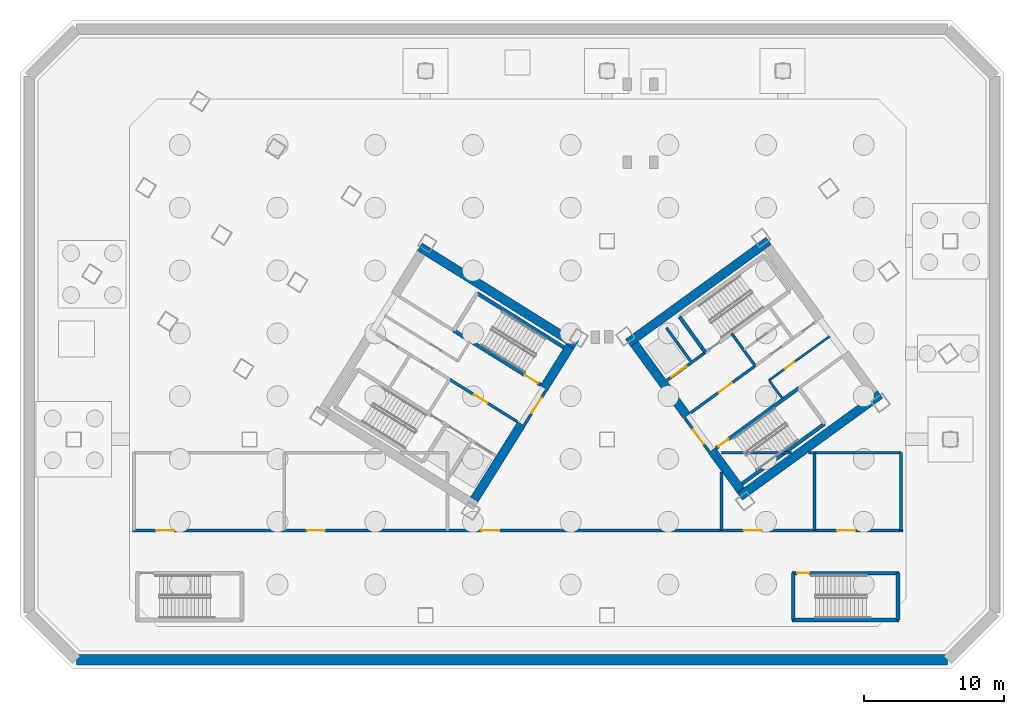
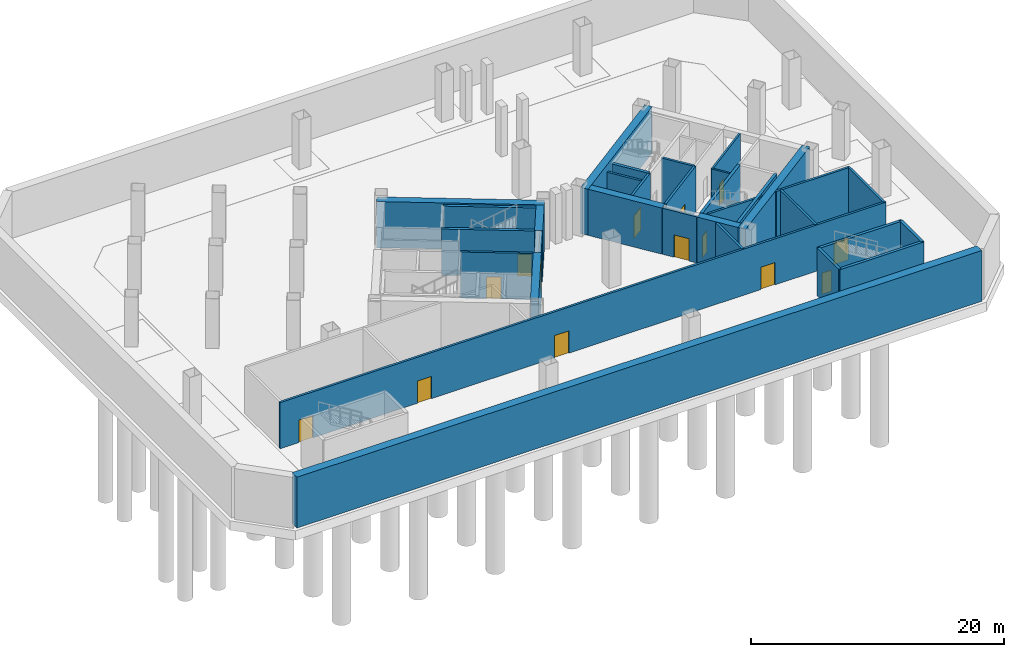
# One storey, part 5 of 11: 33 walls, 14 doors, 14 openings.
"""IFC4 building model written with IfcOpenShell, lengths in metres."""

from ifc_helpers import new_model, si_unit, direction, frame, frame_2d, origin, place, context, subcontext, project, spatial, rectangle, extrude, source, transform, mapped, material, layer, layer_set, type_object, element, fill, save


model = new_model("IFC4")

# Units and contexts
model_context = context("Model", 3, precision=1e-05, world=origin(), true_north=direction((0.0, 1.0)))
body_context = subcontext(model_context, "Body", "Model", "MODEL_VIEW")
ifc_project = project(units=[si_unit("LENGTHUNIT", "METRE"), si_unit("AREAUNIT", "SQUARE_METRE"), si_unit("VOLUMEUNIT", "CUBIC_METRE"), si_unit("PLANEANGLEUNIT", "RADIAN"), si_unit("MASSUNIT", "GRAM", prefix="KILO")], contexts=[model_context])

# Site, building, storey
site_placement = place(None, origin())
site = spatial("IfcSite", under=ifc_project, at=site_placement, CompositionType="ELEMENT")
building_placement = place(site_placement, origin())
building = spatial("IfcBuilding", under=site, at=building_placement, Name="Tlacorven Tower", CompositionType="ELEMENT")
storey_placement = place(building_placement, frame((0.0, 0.0, -9.60009765625)))
storey = spatial("IfcBuildingStorey", under=building, at=storey_placement, Name="B2", CompositionType="ELEMENT", Elevation=-9.60009765625)

# Walls
ifc_material_1 = material(Name="Concrete C60/75", Category="concrete")
ifc_layer_1 = layer(ifc_material_1, 0.64990234375)
ifc_layer_set_1 = layer_set([ifc_layer_1], Name="Concrete C60/75")
wall_type_1 = type_object("IfcWallType", Name="WL-COR-650", PredefinedType="SHEAR", material=ifc_layer_set_1)
wall_1_placement = place(storey_placement, frame((40.615478515625, 23.9833984375, 0.0), z_axis=(0.0, 0.0, 1.0), x_axis=(-0.848045953968, 0.529922692436, 0.0)))
element("IfcWall", 1, at=wall_1_placement, inside=storey, type_object=wall_type_1, Name="B2 W core shear wall S1", PredefinedType="SHEAR", context=body_context, shape_type="SweptSolid", body=[
    extrude(rectangle(XDim=13.239990234375, YDim=0.64990234375, at=frame_2d((6.6201171875, 0.0))), origin(), (0.0, 0.0, 1.0), 4.4501953125),
])
wall_2_placement = place(storey_placement, frame((40.167724609375, 23.880126953125, 0.0), z_axis=(0.0, 0.0, 1.0), x_axis=(-0.529893103397, -0.8480644427, 0.0)))
element("IfcWall", 2, at=wall_2_placement, inside=storey, type_object=wall_type_1, Name="B2 W core end wall E1.1", PredefinedType="SHEAR", context=body_context, shape_type="SweptSolid", body=[
    extrude(rectangle(XDim=3.525146484375, YDim=0.64990234375, at=frame_2d((1.7626953125, 0.0))), origin(), (0.0, 0.0, 1.0), 4.4501953125),
])
wall_3_placement = place(storey_placement, frame((36.683349609375, 18.30419921875, 0.0), z_axis=(0.0, 0.0, 1.0), x_axis=(-0.529899109053, -0.848060690178, 0.0)))
element("IfcWall", 3, at=wall_3_placement, inside=storey, type_object=wall_type_1, Name="B2 W core end wall E1.2", PredefinedType="SHEAR", context=body_context, shape_type="SweptSolid", body=[
    extrude(rectangle(XDim=6.375244140625, YDim=0.64990234375, at=frame_2d((3.1875, 0.0))), origin(), (0.0, 0.0, 1.0), 4.4501953125),
])
wall_4_placement = place(storey_placement, frame((52.318359375, 13.1103515625, 0.0), z_axis=(0.0, 0.0, 1.0), x_axis=(0.809019445368, 0.587781878776, 0.0)))
element("IfcWall", 4, at=wall_4_placement, inside=storey, type_object=wall_type_1, Name="B2 E core shear wall S1", PredefinedType="SHEAR", context=body_context, shape_type="SweptSolid", body=[
    extrude(rectangle(XDim=12.43994140625, YDim=0.64990234375, at=frame_2d((6.219970703125, 0.0))), origin(), (0.0, 0.0, 1.0), 4.4501953125),
])
wall_5_placement = place(storey_placement, frame((44.32470703125, 24.113037109375, 0.0), z_axis=(0.0, 0.0, 1.0), x_axis=(0.809012664862, 0.58779121131, 0.0)))
element("IfcWall", 5, at=wall_5_placement, inside=storey, type_object=wall_type_1, Name="B2 E core shear wall S2", PredefinedType="SHEAR", context=body_context, shape_type="SweptSolid", body=[
    extrude(rectangle(XDim=12.439697265625, YDim=0.64990234375, at=frame_2d((6.2197265625, 0.0))), origin(), (0.0, 0.0, 1.0), 4.4501953125),
])
wall_6_placement = place(storey_placement, frame((52.390380859375, 13.564208984375, 0.0), z_axis=(0.0, 0.0, 1.0), x_axis=(-0.58779688989, 0.809008539037, 0.0)))
element("IfcWall", 6, at=wall_6_placement, inside=storey, type_object=wall_type_1, Name="B2 E core end wall E1.1", PredefinedType="SHEAR", context=body_context, shape_type="SweptSolid", body=[
    extrude(rectangle(XDim=3.525146484375, YDim=0.64990234375, at=frame_2d((1.7626953125, 0.0))), origin(), (0.0, 0.0, 1.0), 4.4501953125),
])
wall_7_placement = place(storey_placement, frame((48.525634765625, 18.883544921875, 0.0), z_axis=(0.0, 0.0, 1.0), x_axis=(-0.58777996584, 0.809020835181, 0.0)))
element("IfcWall", 7, at=wall_7_placement, inside=storey, type_object=wall_type_1, Name="B2 E core end wall E1.2", PredefinedType="SHEAR", context=body_context, shape_type="SweptSolid", body=[
    extrude(rectangle(XDim=6.375, YDim=0.64990234375, at=frame_2d((3.1875, 0.0))), origin(), (0.0, 0.0, 1.0), 4.4501953125),
])

# Wall, opening, door
ifc_material_2 = material(Name="Gypsum plasterboard acoustic partition", Category="gypsum")
ifc_layer_2 = layer(ifc_material_2, 0.159912109375)
ifc_layer_set_2 = layer_set([ifc_layer_2], Name="Gypsum plasterboard acoustic partition")
wall_type_2 = type_object("IfcWallType", Name="WL-DEM-160", PredefinedType="PARTITIONING", material=ifc_layer_set_2)
wall_8_placement = place(storey_placement, frame((54.421142578125, 21.436279296875, 0.0), z_axis=(0.0, 0.0, 1.0), x_axis=(0.809013710463, 0.587789772183, 0.0)))
wall_8 = element("IfcWall", 8, at=wall_8_placement, inside=storey, type_object=wall_type_2, Name="B2 partition 29", PredefinedType="PARTITIONING", context=body_context, shape_type="SweptSolid", body=[
    extrude(rectangle(XDim=5.360107421875, YDim=0.159912109375, at=frame_2d((2.68017578125, 0.0))), origin(), (0.0, 0.0, 1.0), 4.440185546875),
])
opening_1_placement = place(wall_8_placement, frame((1.39990234375, 0.0, 0.0)))
opening_1 = element("IfcOpeningElement", 9, at=opening_1_placement, cuts=wall_8, Name="Opening D19", PredefinedType="OPENING", context=body_context, shape_type="SweptSolid", body=[
    extrude(rectangle(XDim=0.860107421875, YDim=2.050048828125, at=frame_2d((0.43017578125, 1.02490234375))), frame((0.0, 0.08984375, 0.0), z_axis=(0.0, -1.0, 0.0), x_axis=(1.0, 0.0, 0.0)), (0.0, 0.0, 1.0), 0.179931640625),
])
ifc_material_3 = material(Name="Fire-rated steel door assembly", Category="steel")
door_type_1 = type_object("IfcDoorType", Name="DR-RSR-FD60-0860", OperationType="NOTDEFINED", PredefinedType="DOOR", material=ifc_material_3)
shared_shape_1 = source(origin(), body_context, "Body", "SweptSolid", [
    extrude(rectangle(XDim=0.860107421875, YDim=2.050048828125, at=frame_2d((0.43017578125, 1.02490234375))), frame((0.0, 0.02490234375, 0.0), z_axis=(0.0, -1.0, 0.0), x_axis=(1.0, 0.0, 0.0)), (0.0, 0.0, 1.0), 0.050048828125),
])
door_1_placement = place(opening_1_placement, origin())
door_1 = element("IfcDoor", 10, at=door_1_placement, inside=storey, type_object=door_type_1, Name="B2 Freed Core Store Door", OperationType="SINGLE_SWING_LEFT", OverallHeight=2.050048828125, OverallWidth=0.860107421875, PredefinedType="DOOR", context=body_context, shape_type="MappedRepresentation", body=[
    mapped(shared_shape_1, transform((0.0, 0.0, 0.0), scale=1.0)),
])
fill(opening_1, door_1)

# Walls
wall_9_placement = place(storey_placement, frame((55.390869140625, 20.1015625, 0.0), z_axis=(0.0, 0.0, 1.0), x_axis=(-0.58778447739, 0.809017557374, 0.0)))
element("IfcWall", 11, at=wall_9_placement, inside=storey, type_object=wall_type_2, Name="B2 partition 30", PredefinedType="PARTITIONING", context=body_context, shape_type="SweptSolid", body=[
    extrude(rectangle(XDim=1.64990234375, YDim=0.159912109375, at=frame_2d((0.824951171875, 0.0))), origin(), (0.0, 0.0, 1.0), 4.440185546875),
])
ifc_material_4 = material(Name="Concrete C50/60", Category="concrete")
ifc_layer_3 = layer(ifc_material_4, 0.75)
ifc_layer_set_3 = layer_set([ifc_layer_3], Name="Concrete C50/60")
wall_type_3 = type_object("IfcWallType", Name="WL-RET-750", PredefinedType="USERDEFINED", material=ifc_layer_set_3)
wall_10_placement = place(storey_placement, frame((4.800048828125, 1.39990234375, -0.449951171875), z_axis=(0.0, 0.0, 1.0), x_axis=(1.0, 0.0, 0.0)))
element("IfcWall", 12, at=wall_10_placement, inside=storey, type_object=wall_type_3, Name="B2 Diaphragm Retaining Wall 1", ObjectType="RETAINING WALL", PredefinedType="USERDEFINED", context=body_context, shape_type="SweptSolid", body=[
    extrude(rectangle(XDim=62.39990234375, YDim=0.75, at=frame_2d((31.199951171875, 0.0))), origin(), (0.0, 0.0, 1.0), 4.900146484375),
])

# Wall, opening, door
ifc_material_5 = material(Name="Concrete C40/50", Category="concrete")
ifc_layer_4 = layer(ifc_material_5, 0.199951171875)
ifc_layer_set_4 = layer_set([ifc_layer_4], Name="Concrete C40/50")
wall_type_4 = type_object("IfcWallType", Name="WL-SHF-200", PredefinedType="STANDARD", material=ifc_layer_set_4)
wall_11_placement = place(storey_placement, frame((36.374267578125, 18.4736328125, 0.0), z_axis=(0.0, 0.0, 1.0), x_axis=(-0.848051071577, 0.529914502535, 0.0)))
wall_11 = element("IfcWall", 13, at=wall_11_placement, inside=storey, type_object=wall_type_4, Name="B2 Core W Smoke Lobby Wall", PredefinedType="STANDARD", context=body_context, shape_type="SweptSolid", body=[
    extrude(rectangle(XDim=5.718017578125, YDim=0.199951171875, at=frame_2d((2.85888671875, 0.0))), origin(), (0.0, 0.0, 1.0), 4.440185546875),
])
opening_2_placement = place(wall_11_placement, frame((2.498046875, 0.0, 0.0)))
opening_2 = element("IfcOpeningElement", 14, at=opening_2_placement, cuts=wall_11, Name="Opening D09", PredefinedType="OPENING", context=body_context, shape_type="SweptSolid", body=[
    extrude(rectangle(XDim=1.14990234375, YDim=2.10009765625, at=frame_2d((0.574951171875, 1.050048828125))), frame((0.0, 0.10986328125, 0.0), z_axis=(0.0, -1.0, 0.0), x_axis=(1.0, 0.0, 0.0)), (0.0, 0.0, 1.0), 0.219970703125),
])
door_type_2 = type_object("IfcDoorType", Name="DR-FFL-FD60-1150", OperationType="NOTDEFINED", PredefinedType="DOOR", material=ifc_material_3)
shared_shape_2 = source(origin(), body_context, "Body", "SweptSolid", [
    extrude(rectangle(XDim=1.14990234375, YDim=2.10009765625, at=frame_2d((0.574951171875, 1.050048828125))), frame((0.0, 0.02490234375, 0.0), z_axis=(0.0, -1.0, 0.0), x_axis=(1.0, 0.0, 0.0)), (0.0, 0.0, 1.0), 0.050048828125),
])
door_2_placement = place(opening_2_placement, origin())
door_2 = element("IfcDoor", 15, at=door_2_placement, inside=storey, type_object=door_type_2, Name="B2 Firefighting Lobby W Fire Door", OperationType="SINGLE_SWING_LEFT", OverallHeight=2.10009765625, OverallWidth=1.14990234375, PredefinedType="DOOR", context=body_context, shape_type="MappedRepresentation", body=[
    mapped(shared_shape_2, transform((0.0, 0.0, 0.0), scale=1.0)),
])
fill(opening_2, door_2)

wall_12_placement = place(storey_placement, frame((47.10595703125, 21.4365234375, 0.0), z_axis=(0.0, 0.0, 1.0), x_axis=(0.809012514015, 0.58779141893, 0.0)))
wall_12 = element("IfcWall", 16, at=wall_12_placement, inside=storey, type_object=wall_type_4, Name="B2 Core E Firefighting Lift Shaft Front Wall", PredefinedType="STANDARD", context=body_context, shape_type="SweptSolid", body=[
    extrude(rectangle(XDim=3.39794921875, YDim=0.199951171875, at=frame_2d((1.698974609375, 0.0))), origin(), (0.0, 0.0, 1.0), 4.440185546875),
])
opening_3_placement = place(wall_12_placement, frame((0.407958984375, 0.0, 0.0)))
opening_3 = element("IfcOpeningElement", 17, at=opening_3_placement, cuts=wall_12, Name="Opening LD03", PredefinedType="OPENING", context=body_context, shape_type="SweptSolid", body=[
    extrude(rectangle(XDim=1.300048828125, YDim=2.199951171875, at=frame_2d((0.64990234375, 1.10009765625))), frame((0.0, 0.10986328125, 0.0), z_axis=(0.0, -1.0, 0.0), x_axis=(1.0, 0.0, 0.0)), (0.0, 0.0, 1.0), 0.219970703125),
])
door_type_3 = type_object("IfcDoorType", Name="DR-LFT-SLID-1300", OperationType="DOUBLE_DOOR_SLIDING", PredefinedType="DOOR", material=ifc_material_3)
shared_shape_3 = source(origin(), body_context, "Body", "SweptSolid", [
    extrude(rectangle(XDim=1.300048828125, YDim=2.199951171875, at=frame_2d((0.64990234375, 1.10009765625))), frame((0.0, 0.02490234375, 0.0), z_axis=(0.0, -1.0, 0.0), x_axis=(1.0, 0.0, 0.0)), (0.0, 0.0, 1.0), 0.050048828125),
])
door_3_placement = place(opening_3_placement, origin())
door_3 = element("IfcDoor", 18, at=door_3_placement, inside=storey, type_object=door_type_3, Name="B2 Lift FFL-E1 Sliding Landing Door", OperationType="DOUBLE_DOOR_SLIDING", OverallHeight=2.199951171875, OverallWidth=1.300048828125, PredefinedType="DOOR", context=body_context, shape_type="MappedRepresentation", body=[
    mapped(shared_shape_3, transform((0.0, 0.0, 0.0), scale=1.0)),
])
fill(opening_3, door_3)

wall_13_placement = place(storey_placement, frame((48.798828125, 19.106689453125, 0.0), z_axis=(0.0, 0.0, 1.0), x_axis=(0.809012959416, 0.587790805897, 0.0)))
wall_13 = element("IfcWall", 19, at=wall_13_placement, inside=storey, type_object=wall_type_4, Name="B2 Core E Smoke Lobby Wall", PredefinedType="STANDARD", context=body_context, shape_type="SweptSolid", body=[
    extrude(rectangle(XDim=5.7177734375, YDim=0.199951171875, at=frame_2d((2.85888671875, 0.0))), origin(), (0.0, 0.0, 1.0), 4.440185546875),
])
opening_4_placement = place(wall_13_placement, frame((2.498046875, 0.0, 0.0)))
opening_4 = element("IfcOpeningElement", 20, at=opening_4_placement, cuts=wall_13, Name="Opening D09", PredefinedType="OPENING", context=body_context, shape_type="SweptSolid", body=[
    extrude(rectangle(XDim=1.14990234375, YDim=2.10009765625, at=frame_2d((0.574951171875, 1.050048828125))), frame((0.0, 0.10986328125, 0.0), z_axis=(0.0, -1.0, 0.0), x_axis=(1.0, 0.0, 0.0)), (0.0, 0.0, 1.0), 0.219970703125),
])
door_4_placement = place(opening_4_placement, origin())
door_4 = element("IfcDoor", 21, at=door_4_placement, inside=storey, type_object=door_type_2, Name="B2 Firefighting Lobby E Fire Door", OperationType="SINGLE_SWING_LEFT", OverallHeight=2.10009765625, OverallWidth=1.14990234375, PredefinedType="DOOR", context=body_context, shape_type="MappedRepresentation", body=[
    mapped(shared_shape_2, transform((0.0, 0.0, 0.0), scale=1.0)),
])
fill(opening_4, door_4)

# Walls
wall_14_placement = place(storey_placement, frame((48.78564453125, 22.830078125, 0.0), z_axis=(0.0, 0.0, 1.0), x_axis=(-0.587783856777, 0.809018008275, 0.0)))
element("IfcWall", 22, at=wall_14_placement, inside=storey, type_object=wall_type_4, Name="B2 partition 31", PredefinedType="STANDARD", context=body_context, shape_type="SweptSolid", body=[
    extrude(rectangle(XDim=2.919921875, YDim=0.199951171875, at=frame_2d((1.4599609375, 0.0))), origin(), (0.0, 0.0, 1.0), 4.440185546875),
])
wall_15_placement = place(storey_placement, frame((53.424560546875, 22.467529296875, 0.0), z_axis=(0.0, 0.0, 1.0), x_axis=(-0.5877230039, 0.809062216821, 0.0)))
element("IfcWall", 23, at=wall_15_placement, inside=storey, type_object=wall_type_4, Name="B2 partition 32", PredefinedType="STANDARD", context=body_context, shape_type="SweptSolid", body=[
    extrude(rectangle(XDim=2.8798828125, YDim=0.199951171875, at=frame_2d((1.43994140625, 0.0))), origin(), (0.0, 0.0, 1.0), 4.440185546875),
])

# Wall, openings, doors
wall_16_placement = place(storey_placement, frame((8.800048828125, 10.679931640625, 0.0), z_axis=(0.0, 0.0, 1.0), x_axis=(1.0, 0.0, 0.0)))
wall_16 = element("IfcWall", 24, at=wall_16_placement, inside=storey, type_object=wall_type_4, Name="B2 partition 46", PredefinedType="STANDARD", context=body_context, shape_type="SweptSolid", body=[
    extrude(rectangle(XDim=55.199951171875, YDim=0.199951171875, at=frame_2d((27.60009765625, 0.0))), origin(), (0.0, 0.0, 1.0), 4.440185546875),
])
opening_5_placement = place(wall_16_placement, frame((25.0, 0.0, 0.0)))
opening_5 = element("IfcOpeningElement", 25, at=opening_5_placement, cuts=wall_16, Name="Opening D18", PredefinedType="OPENING", context=body_context, shape_type="SweptSolid", body=[
    extrude(rectangle(XDim=1.300048828125, YDim=2.14990234375, at=frame_2d((0.64990234375, 1.074951171875))), frame((0.0, 0.10986328125, 0.0), z_axis=(0.0, -1.0, 0.0), x_axis=(1.0, 0.0, 0.0)), (0.0, 0.0, 1.0), 0.219970703125),
])
opening_6_placement = place(wall_16_placement, frame((1.699951171875, 0.0, 0.0)))
opening_6 = element("IfcOpeningElement", 26, at=opening_6_placement, cuts=wall_16, Name="Opening D18", PredefinedType="OPENING", context=body_context, shape_type="SweptSolid", body=[
    extrude(rectangle(XDim=1.300048828125, YDim=2.14990234375, at=frame_2d((0.64990234375, 1.074951171875))), frame((0.0, 0.10986328125, 0.0), z_axis=(0.0, -1.0, 0.0), x_axis=(1.0, 0.0, 0.0)), (0.0, 0.0, 1.0), 0.219970703125),
])
opening_7_placement = place(wall_16_placement, frame((12.5, 0.0, 0.0)))
opening_7 = element("IfcOpeningElement", 27, at=opening_7_placement, cuts=wall_16, Name="Opening D18", PredefinedType="OPENING", context=body_context, shape_type="SweptSolid", body=[
    extrude(rectangle(XDim=1.300048828125, YDim=2.14990234375, at=frame_2d((0.64990234375, 1.074951171875))), frame((0.0, 0.10986328125, 0.0), z_axis=(0.0, -1.0, 0.0), x_axis=(1.0, 0.0, 0.0)), (0.0, 0.0, 1.0), 0.219970703125),
])
opening_8_placement = place(wall_16_placement, frame((43.800048828125, 0.0, 0.0)))
opening_8 = element("IfcOpeningElement", 28, at=opening_8_placement, cuts=wall_16, Name="Opening D18", PredefinedType="OPENING", context=body_context, shape_type="SweptSolid", body=[
    extrude(rectangle(XDim=1.300048828125, YDim=2.14990234375, at=frame_2d((0.64990234375, 1.074951171875))), frame((0.0, 0.10986328125, 0.0), z_axis=(0.0, -1.0, 0.0), x_axis=(1.0, 0.0, 0.0)), (0.0, 0.0, 1.0), 0.219970703125),
])
opening_9_placement = place(wall_16_placement, frame((50.5, 0.0, 0.0)))
opening_9 = element("IfcOpeningElement", 29, at=opening_9_placement, cuts=wall_16, Name="Opening D18", PredefinedType="OPENING", context=body_context, shape_type="SweptSolid", body=[
    extrude(rectangle(XDim=1.300048828125, YDim=2.14990234375, at=frame_2d((0.64990234375, 1.074951171875))), frame((0.0, 0.10986328125, 0.0), z_axis=(0.0, -1.0, 0.0), x_axis=(1.0, 0.0, 0.0)), (0.0, 0.0, 1.0), 0.219970703125),
])
door_type_4 = type_object("IfcDoorType", Name="DR-MEP-FD60-1300", OperationType="DOUBLE_DOOR_SINGLE_SWING", PredefinedType="DOOR", material=ifc_material_3)
shared_shape_4 = source(origin(), body_context, "Body", "SweptSolid", [
    extrude(rectangle(XDim=1.300048828125, YDim=2.14990234375, at=frame_2d((0.64990234375, 1.074951171875))), frame((0.0, 0.02490234375, 0.0), z_axis=(0.0, -1.0, 0.0), x_axis=(1.0, 0.0, 0.0)), (0.0, 0.0, 1.0), 0.050048828125),
])
door_5_placement = place(opening_5_placement, origin())
door_5 = element("IfcDoor", 30, at=door_5_placement, inside=storey, type_object=door_type_4, Name="B2 door 019", OperationType="DOUBLE_DOOR_SINGLE_SWING", OverallHeight=2.14990234375, OverallWidth=1.300048828125, PredefinedType="DOOR", context=body_context, shape_type="MappedRepresentation", body=[
    mapped(shared_shape_4, transform((0.0, 0.0, 0.0), scale=1.0)),
])
fill(opening_5, door_5)
door_6_placement = place(opening_6_placement, origin())
door_6 = element("IfcDoor", 31, at=door_6_placement, inside=storey, type_object=door_type_4, Name="B2 door 022", OperationType="DOUBLE_DOOR_SINGLE_SWING", OverallHeight=2.14990234375, OverallWidth=1.300048828125, PredefinedType="DOOR", context=body_context, shape_type="MappedRepresentation", body=[
    mapped(shared_shape_4, transform((0.0, 0.0, 0.0), scale=1.0)),
])
fill(opening_6, door_6)
door_7_placement = place(opening_7_placement, origin())
door_7 = element("IfcDoor", 32, at=door_7_placement, inside=storey, type_object=door_type_4, Name="B2 door 023", OperationType="DOUBLE_DOOR_SINGLE_SWING", OverallHeight=2.14990234375, OverallWidth=1.300048828125, PredefinedType="DOOR", context=body_context, shape_type="MappedRepresentation", body=[
    mapped(shared_shape_4, transform((0.0, 0.0, 0.0), scale=1.0)),
])
fill(opening_7, door_7)
door_8_placement = place(opening_8_placement, origin())
door_8 = element("IfcDoor", 33, at=door_8_placement, inside=storey, type_object=door_type_4, Name="B2 door 024", OperationType="DOUBLE_DOOR_SINGLE_SWING", OverallHeight=2.14990234375, OverallWidth=1.300048828125, PredefinedType="DOOR", context=body_context, shape_type="MappedRepresentation", body=[
    mapped(shared_shape_4, transform((0.0, 0.0, 0.0), scale=1.0)),
])
fill(opening_8, door_8)
door_9_placement = place(opening_9_placement, origin())
door_9 = element("IfcDoor", 34, at=door_9_placement, inside=storey, type_object=door_type_4, Name="B2 door 025", OperationType="DOUBLE_DOOR_SINGLE_SWING", OverallHeight=2.14990234375, OverallWidth=1.300048828125, PredefinedType="DOOR", context=body_context, shape_type="MappedRepresentation", body=[
    mapped(shared_shape_4, transform((0.0, 0.0, 0.0), scale=1.0)),
])
fill(opening_9, door_9)

# Wall, opening, door
wall_17_placement = place(storey_placement, frame((38.451416015625, 20.737060546875, 0.0), z_axis=(0.0, 0.0, 1.0), x_axis=(-0.529924799939, -0.848044637038, 0.0)))
wall_17 = element("IfcWall", 35, at=wall_17_placement, inside=storey, type_object=wall_type_4, Name="B2 partition 47", PredefinedType="STANDARD", context=body_context, shape_type="SweptSolid", body=[
    extrude(rectangle(XDim=2.9599609375, YDim=0.199951171875, at=frame_2d((1.47998046875, 0.0))), origin(), (0.0, 0.0, 1.0), 4.440185546875),
])
opening_10_placement = place(wall_17_placement, frame((0.64990234375, 0.0, 0.0)))
opening_10 = element("IfcOpeningElement", 36, at=opening_10_placement, cuts=wall_17, Name="Opening D18", PredefinedType="OPENING", context=body_context, shape_type="SweptSolid", body=[
    extrude(rectangle(XDim=1.300048828125, YDim=2.14990234375, at=frame_2d((0.64990234375, 1.074951171875))), frame((0.0, 0.10986328125, 0.0), z_axis=(0.0, -1.0, 0.0), x_axis=(1.0, 0.0, 0.0)), (0.0, 0.0, 1.0), 0.219970703125),
])
door_10_placement = place(opening_10_placement, frame((1.300048828125, 0.0, 0.0), z_axis=(0.0, 0.0, 1.0), x_axis=(-1.0, 0.0, 0.0)))
door_10 = element("IfcDoor", 37, at=door_10_placement, inside=storey, type_object=door_type_4, Name="B2 door 020", OperationType="DOUBLE_DOOR_SINGLE_SWING", OverallHeight=2.14990234375, OverallWidth=1.300048828125, PredefinedType="DOOR", context=body_context, shape_type="MappedRepresentation", body=[
    mapped(shared_shape_4, transform((0.0, 0.0, 0.0), scale=1.0)),
])
fill(opening_10, door_10)

wall_18_placement = place(storey_placement, frame((50.119140625, 16.3330078125, 0.0), z_axis=(0.0, 0.0, 1.0), x_axis=(-0.587749856981, 0.809042709391, 0.0)))
wall_18 = element("IfcWall", 38, at=wall_18_placement, inside=storey, type_object=wall_type_4, Name="B2 partition 48", PredefinedType="STANDARD", context=body_context, shape_type="SweptSolid", body=[
    extrude(rectangle(XDim=2.9599609375, YDim=0.199951171875, at=frame_2d((1.47998046875, 0.0))), origin(), (0.0, 0.0, 1.0), 4.440185546875),
])
opening_11_placement = place(wall_18_placement, frame((0.64990234375, 0.0, 0.0)))
opening_11 = element("IfcOpeningElement", 39, at=opening_11_placement, cuts=wall_18, Name="Opening D18", PredefinedType="OPENING", context=body_context, shape_type="SweptSolid", body=[
    extrude(rectangle(XDim=1.300048828125, YDim=2.14990234375, at=frame_2d((0.64990234375, 1.074951171875))), frame((0.0, 0.10986328125, 0.0), z_axis=(0.0, -1.0, 0.0), x_axis=(1.0, 0.0, 0.0)), (0.0, 0.0, 1.0), 0.219970703125),
])
door_11_placement = place(opening_11_placement, frame((1.300048828125, 0.0, 0.0), z_axis=(0.0, 0.0, 1.0), x_axis=(-1.0, 0.0, 0.0)))
door_11 = element("IfcDoor", 40, at=door_11_placement, inside=storey, type_object=door_type_4, Name="B2 door 021", OperationType="DOUBLE_DOOR_SINGLE_SWING", OverallHeight=2.14990234375, OverallWidth=1.300048828125, PredefinedType="DOOR", context=body_context, shape_type="MappedRepresentation", body=[
    mapped(shared_shape_4, transform((0.0, 0.0, 0.0), scale=1.0)),
])
fill(opening_11, door_11)

# Walls
wall_19_placement = place(storey_placement, frame((51.02001953125, 10.679931640625, 0.0), z_axis=(0.0, 0.0, 1.0), x_axis=(0.0, 1.0, 0.0)))
element("IfcWall", 41, at=wall_19_placement, inside=storey, type_object=wall_type_4, Name="B2 partition 55", PredefinedType="STANDARD", context=body_context, shape_type="SweptSolid", body=[
    extrude(rectangle(XDim=4.171630859375, YDim=0.199951171875, at=frame_2d((2.0859375, 0.0))), origin(), (0.0, 0.0, 1.0), 4.440185546875),
])
wall_20_placement = place(storey_placement, frame((57.679931640625, 10.679931640625, 0.0), z_axis=(0.0, 0.0, 1.0), x_axis=(0.0, 1.0, 0.0)))
element("IfcWall", 42, at=wall_20_placement, inside=storey, type_object=wall_type_4, Name="B2 partition 56", PredefinedType="STANDARD", context=body_context, shape_type="SweptSolid", body=[
    extrude(rectangle(XDim=5.570068359375, YDim=0.199951171875, at=frame_2d((2.78515625, 0.0))), origin(), (0.0, 0.0, 1.0), 4.440185546875),
])
wall_21_placement = place(storey_placement, frame((51.02001953125, 16.25, 0.0), z_axis=(0.0, 0.0, 1.0), x_axis=(1.0, 0.0, 0.0)))
element("IfcWall", 43, at=wall_21_placement, inside=storey, type_object=wall_type_4, Name="B2 partition 57", PredefinedType="STANDARD", context=body_context, shape_type="SweptSolid", body=[
    extrude(rectangle(XDim=5.02099609375, YDim=0.199951171875, at=frame_2d((2.510498046875, 0.0))), origin(), (0.0, 0.0, 1.0), 4.440185546875),
])
wall_22_placement = place(storey_placement, frame((57.23876953125, 16.25, 0.0), z_axis=(0.0, 0.0, 1.0), x_axis=(1.0, 0.0, 0.0)))
element("IfcWall", 44, at=wall_22_placement, inside=storey, type_object=wall_type_4, Name="B2 partition 57", PredefinedType="STANDARD", context=body_context, shape_type="SweptSolid", body=[
    extrude(rectangle(XDim=0.441162109375, YDim=0.199951171875, at=frame_2d((0.220703125, 0.0))), origin(), (0.0, 0.0, 1.0), 4.440185546875),
])
wall_23_placement = place(storey_placement, frame((63.8798828125, 10.679931640625, 0.0), z_axis=(0.0, 0.0, 1.0), x_axis=(0.0, 1.0, 0.0)))
element("IfcWall", 45, at=wall_23_placement, inside=storey, type_object=wall_type_4, Name="B2 partition 59", PredefinedType="STANDARD", context=body_context, shape_type="SweptSolid", body=[
    extrude(rectangle(XDim=5.570068359375, YDim=0.199951171875, at=frame_2d((2.78515625, 0.0))), origin(), (0.0, 0.0, 1.0), 4.440185546875),
])
wall_24_placement = place(storey_placement, frame((57.719970703125, 16.25, 0.0), z_axis=(0.0, 0.0, 1.0), x_axis=(1.0, 0.0, 0.0)))
element("IfcWall", 46, at=wall_24_placement, inside=storey, type_object=wall_type_4, Name="B2 partition 60", PredefinedType="STANDARD", context=body_context, shape_type="SweptSolid", body=[
    extrude(rectangle(XDim=6.159912109375, YDim=0.199951171875, at=frame_2d((3.080078125, 0.0))), origin(), (0.0, 0.0, 1.0), 4.440185546875),
])
ifc_layer_5 = layer(ifc_material_4, 0.260009765625)
ifc_layer_set_5 = layer_set([ifc_layer_5], Name="Concrete C50/60")
wall_type_5 = type_object("IfcWallType", Name="WL-STW-260", PredefinedType="SHEAR", material=ifc_layer_set_5)
wall_25_placement = place(storey_placement, frame((39.720947265625, 23.787841796875, 0.0), z_axis=(0.0, 0.0, 1.0), x_axis=(-0.848054434086, 0.529909121291, 0.0)))
element("IfcWall", 47, at=wall_25_placement, inside=storey, type_object=wall_type_5, Name="B2 Stair W2 Far Shear Wall", PredefinedType="SHEAR", context=body_context, shape_type="SweptSolid", body=[
    extrude(rectangle(XDim=7.330078125, YDim=0.260009765625, at=frame_2d((3.6650390625, 0.0))), origin(), (0.0, 0.0, 1.0), 4.4501953125),
])

# Wall, opening, door
wall_26_placement = place(storey_placement, frame((38.04638671875, 21.10791015625, 0.0), z_axis=(0.0, 0.0, 1.0), x_axis=(-0.848054434086, 0.529909121291, 0.0)))
wall_26 = element("IfcWall", 48, at=wall_26_placement, inside=storey, type_object=wall_type_5, Name="B2 Stair W2 Lobby Shear Wall", PredefinedType="SHEAR", context=body_context, shape_type="SweptSolid", body=[
    extrude(rectangle(XDim=7.330078125, YDim=0.260009765625, at=frame_2d((3.6650390625, 0.0))), origin(), (0.0, 0.0, 1.0), 4.4501953125),
])
opening_12_placement = place(wall_26_placement, frame((0.219970703125, 0.0, 0.0)))
opening_12 = element("IfcOpeningElement", 49, at=opening_12_placement, cuts=wall_26, Name="Opening D07", PredefinedType="OPENING", context=body_context, shape_type="SweptSolid", body=[
    extrude(rectangle(XDim=1.10009765625, YDim=2.10009765625, at=frame_2d((0.550048828125, 1.050048828125))), frame((0.0, 0.14013671875, 0.0), z_axis=(0.0, -1.0, 0.0), x_axis=(1.0, 0.0, 0.0)), (0.0, 0.0, 1.0), 0.280029296875),
])
door_type_5 = type_object("IfcDoorType", Name="DR-STR-FD90-1100", OperationType="NOTDEFINED", PredefinedType="DOOR", material=ifc_material_3)
shared_shape_5 = source(origin(), body_context, "Body", "SweptSolid", [
    extrude(rectangle(XDim=1.10009765625, YDim=2.10009765625, at=frame_2d((0.550048828125, 1.050048828125))), frame((0.0, 0.02490234375, 0.0), z_axis=(0.0, -1.0, 0.0), x_axis=(1.0, 0.0, 0.0)), (0.0, 0.0, 1.0), 0.050048828125),
])
door_12_placement = place(opening_12_placement, origin())
door_12 = element("IfcDoor", 50, at=door_12_placement, inside=storey, type_object=door_type_5, Name="B2 Exit Stair W2 Fire Door", OperationType="SINGLE_SWING_RIGHT", OverallHeight=2.10009765625, OverallWidth=1.10009765625, PredefinedType="DOOR", context=body_context, shape_type="MappedRepresentation", body=[
    mapped(shared_shape_5, transform((0.0, 0.0, 0.0), scale=1.0)),
])
fill(opening_12, door_12)

# Walls
wall_27_placement = place(storey_placement, frame((49.85498046875, 23.433837890625, 0.0), z_axis=(0.0, 0.0, 1.0), x_axis=(-0.58776738483, 0.809029975545, 0.0)))
element("IfcWall", 51, at=wall_27_placement, inside=storey, type_object=wall_type_5, Name="B2 Stair E1 West Shear Wall", PredefinedType="SHEAR", context=body_context, shape_type="SweptSolid", body=[
    extrude(rectangle(XDim=3.16015625, YDim=0.260009765625, at=frame_2d((1.580078125, 0.0))), origin(), (0.0, 0.0, 1.0), 4.4501953125),
])
wall_28_placement = place(storey_placement, frame((52.47216796875, 14.01318359375, 0.0), z_axis=(0.0, 0.0, 1.0), x_axis=(0.809028366311, 0.587769599847, 0.0)))
element("IfcWall", 52, at=wall_28_placement, inside=storey, type_object=wall_type_5, Name="B2 Stair E2 Far Shear Wall", PredefinedType="SHEAR", context=body_context, shape_type="SweptSolid", body=[
    extrude(rectangle(XDim=7.330078125, YDim=0.260009765625, at=frame_2d((3.6650390625, 0.0))), origin(), (0.0, 0.0, 1.0), 4.4501953125),
])

# Wall, opening, door
wall_29_placement = place(storey_placement, frame((50.61474609375, 16.569580078125, 0.0), z_axis=(0.0, 0.0, 1.0), x_axis=(0.809028366311, 0.587769599847, 0.0)))
wall_29 = element("IfcWall", 53, at=wall_29_placement, inside=storey, type_object=wall_type_5, Name="B2 Stair E2 Lobby Shear Wall", PredefinedType="SHEAR", context=body_context, shape_type="SweptSolid", body=[
    extrude(rectangle(XDim=7.330078125, YDim=0.260009765625, at=frame_2d((3.6650390625, 0.0))), origin(), (0.0, 0.0, 1.0), 4.4501953125),
])
opening_13_placement = place(wall_29_placement, frame((0.239990234375, 0.0, 0.0)))
opening_13 = element("IfcOpeningElement", 54, at=opening_13_placement, cuts=wall_29, Name="Opening D19", PredefinedType="OPENING", context=body_context, shape_type="SweptSolid", body=[
    extrude(rectangle(XDim=0.860107421875, YDim=2.050048828125, at=frame_2d((0.43017578125, 1.02490234375))), frame((0.0, 0.14013671875, 0.0), z_axis=(0.0, -1.0, 0.0), x_axis=(1.0, 0.0, 0.0)), (0.0, 0.0, 1.0), 0.280029296875),
])
door_13_placement = place(opening_13_placement, origin())
door_13 = element("IfcDoor", 55, at=door_13_placement, inside=storey, type_object=door_type_1, Name="B2 Exit Stair E2 Fire Door", OperationType="SINGLE_SWING_LEFT", OverallHeight=2.050048828125, OverallWidth=0.860107421875, PredefinedType="DOOR", context=body_context, shape_type="MappedRepresentation", body=[
    mapped(shared_shape_1, transform((0.0, 0.0, 0.0), scale=1.0)),
])
fill(opening_13, door_13)

wall_30_placement = place(storey_placement, frame((56.070068359375, 7.6201171875, 0.0), z_axis=(0.0, 0.0, 1.0), x_axis=(1.0, 0.0, 0.0)))
wall_30 = element("IfcWall", 56, at=wall_30_placement, inside=storey, type_object=wall_type_5, Name="B2 Stair P2 North Wall", PredefinedType="SHEAR", context=body_context, shape_type="SweptSolid", body=[
    extrude(rectangle(XDim=7.659912109375, YDim=0.260009765625, at=frame_2d((3.830078125, 0.0))), origin(), (0.0, 0.0, 1.0), 4.60009765625),
])
opening_14_placement = place(wall_30_placement, frame((0.360107421875, 0.0, 0.0)))
opening_14 = element("IfcOpeningElement", 57, at=opening_14_placement, cuts=wall_30, Name="Opening D19", PredefinedType="OPENING", context=body_context, shape_type="SweptSolid", body=[
    extrude(rectangle(XDim=0.860107421875, YDim=2.050048828125, at=frame_2d((0.43017578125, 1.02490234375))), frame((0.0, 0.14013671875, 0.0), z_axis=(0.0, -1.0, 0.0), x_axis=(1.0, 0.0, 0.0)), (0.0, 0.0, 1.0), 0.280029296875),
])
door_14_placement = place(opening_14_placement, origin())
door_14 = element("IfcDoor", 58, at=door_14_placement, inside=storey, type_object=door_type_1, Name="B2 door 018", OperationType="SINGLE_SWING_LEFT", OverallHeight=2.050048828125, OverallWidth=0.860107421875, PredefinedType="DOOR", context=body_context, shape_type="MappedRepresentation", body=[
    mapped(shared_shape_1, transform((0.0, 0.0, 0.0), scale=1.0)),
])
fill(opening_14, door_14)

# Walls
wall_31_placement = place(storey_placement, frame((56.070068359375, 4.260009765625, 0.0), z_axis=(0.0, 0.0, 1.0), x_axis=(1.0, 0.0, 0.0)))
element("IfcWall", 59, at=wall_31_placement, inside=storey, type_object=wall_type_5, Name="B2 Stair P2 South Wall", PredefinedType="SHEAR", context=body_context, shape_type="SweptSolid", body=[
    extrude(rectangle(XDim=7.659912109375, YDim=0.260009765625, at=frame_2d((3.830078125, 0.0))), origin(), (0.0, 0.0, 1.0), 4.60009765625),
])
for number, where, z_axis, x_axis, name in (
    (60, (56.139892578125, 4.260009765625, 0.0), (0.0, 0.0, 1.0), (0.0, 1.0, 0.0), "B2 Stair P2 West Wall"),
    (61, (63.659912109375, 4.260009765625, 0.0), (0.0, 0.0, 1.0), (0.0, 1.0, 0.0), "B2 Stair P2 East Wall"),
):
    element("IfcWall", number, at=place(storey_placement, frame(where, z_axis=z_axis, x_axis=x_axis)), inside=storey, type_object=wall_type_5, Name=name, PredefinedType="SHEAR", context=body_context, shape_type="SweptSolid", body=[
        extrude(rectangle(XDim=3.360107421875, YDim=0.260009765625, at=frame_2d((1.68017578125, 0.0))), origin(), (0.0, 0.0, 1.0), 4.60009765625),
    ])

save(model, "model.ifc")
